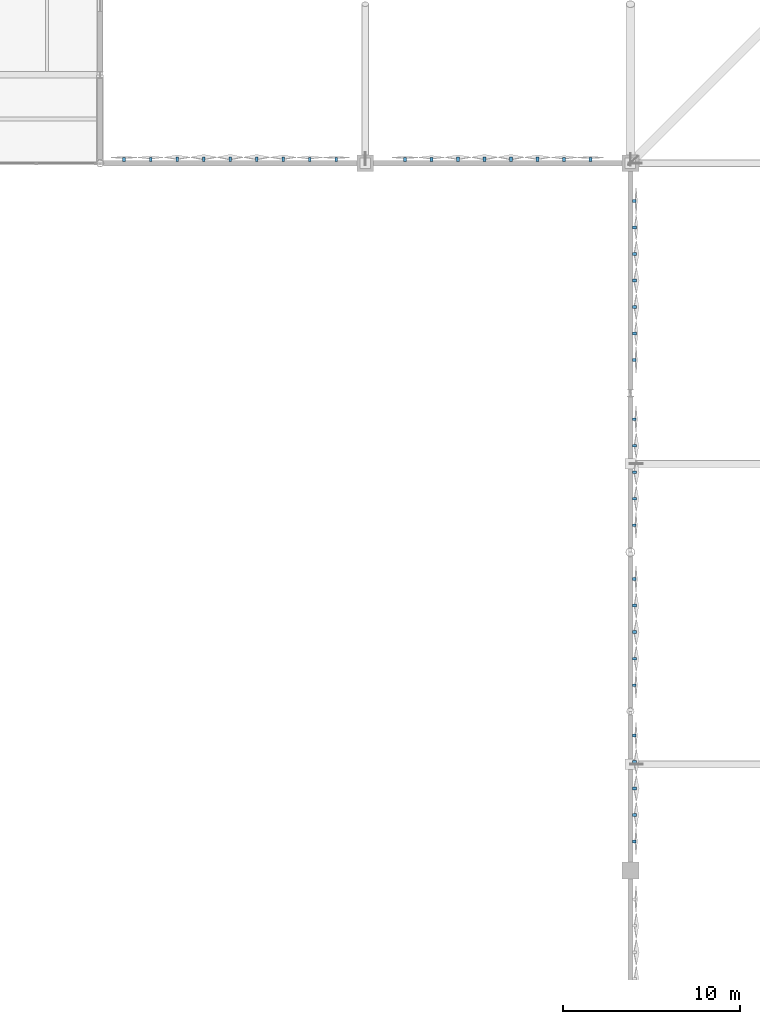
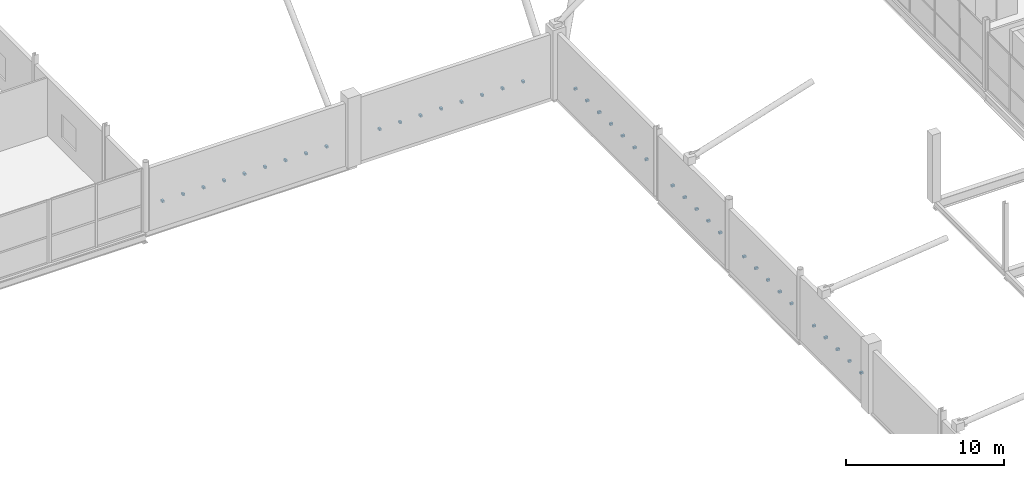
# One storey, part 104 of 119: 39 discrete accessories.
"""IFC4 building model written with IfcOpenShell, lengths in metres."""

from ifc_helpers import new_model, si_unit, direction, frame, origin, origin_2d, place, context, subcontext, project, spatial, rectangle, extrude, material, type_object, element, save


model = new_model("IFC4")

# Units and contexts
model_context = context("Model", 3, precision=1e-05, world=origin(), true_north=direction((0.0, 1.0)))
body_context = subcontext(model_context, "Body", "Model", "MODEL_VIEW")
ifc_project = project(units=[si_unit("LENGTHUNIT", "METRE"), si_unit("AREAUNIT", "SQUARE_METRE"), si_unit("VOLUMEUNIT", "CUBIC_METRE"), si_unit("PLANEANGLEUNIT", "RADIAN"), si_unit("MASSUNIT", "GRAM", prefix="KILO")], contexts=[model_context])

# Site, building, storey
site_placement = place(None, origin())
site = spatial("IfcSite", under=ifc_project, at=site_placement, CompositionType="ELEMENT")
building_placement = place(site_placement, origin())
building = spatial("IfcBuilding", under=site, at=building_placement, Name="Qamarlyn Nura Convention Centre", CompositionType="ELEMENT")
storey_placement = place(building_placement, frame((0.0, 0.0, 5.39990234375)))
storey = spatial("IfcBuildingStorey", under=building, at=storey_placement, Name="L01", CompositionType="ELEMENT", Elevation=5.39990234375)

# Discrete accessories
ifc_material = material(Name="Marine Grade 316 stainless steel", Category="steel")
discrete_accessory_type = type_object("IfcDiscreteAccessoryType", Name="ACC-TILE-BRK", PredefinedType="BRACKET", material=ifc_material)
discrete_accessory_1_placement = place(storey_placement, frame((91.364013671875, 103.217529296875, 1.6201171875), z_axis=(0.0, 0.0, 1.0), x_axis=(0.0, 1.0, 0.0)))
element("IfcDiscreteAccessory", 1, at=discrete_accessory_1_placement, inside=storey, type_object=discrete_accessory_type, Name="L01 diamond tile pivot bracket 0141", PredefinedType="BRACKET", context=body_context, shape_type="SweptSolid", body=[
    extrude(rectangle(XDim=0.215087890625, YDim=0.159912109375, at=origin_2d()), origin(), (0.0, 0.0, 1.0), 0.159912109375),
])
discrete_accessory_2_placement = place(storey_placement, frame((92.864013671875, 103.2197265625, 1.6201171875), z_axis=(0.0, 0.0, 1.0), x_axis=(0.0, 1.0, 0.0)))
element("IfcDiscreteAccessory", 2, at=discrete_accessory_2_placement, inside=storey, type_object=discrete_accessory_type, Name="L01 diamond tile pivot bracket 0142", PredefinedType="BRACKET", context=body_context, shape_type="SweptSolid", body=[
    extrude(rectangle(XDim=0.219482421875, YDim=0.159912109375, at=origin_2d()), origin(), (0.0, 0.0, 1.0), 0.159912109375),
])
discrete_accessory_3_placement = place(storey_placement, frame((94.364013671875, 103.224365234375, 1.6201171875), z_axis=(0.0, 0.0, 1.0), x_axis=(0.0, 1.0, 0.0)))
element("IfcDiscreteAccessory", 3, at=discrete_accessory_3_placement, inside=storey, type_object=discrete_accessory_type, Name="L01 diamond tile pivot bracket 0143", PredefinedType="BRACKET", context=body_context, shape_type="SweptSolid", body=[
    extrude(rectangle(XDim=0.228515625, YDim=0.159912109375, at=origin_2d()), origin(), (0.0, 0.0, 1.0), 0.159912109375),
])
for number, where, z_axis, x_axis, name in (
    (4, (95.864013671875, 103.2265625, 1.6201171875), (0.0, 0.0, 1.0), (0.0, 1.0, 0.0), "L01 diamond tile pivot bracket 0144"),
    (5, (97.364013671875, 103.2265625, 1.6201171875), (0.0, 0.0, 1.0), (0.0, 1.0, 0.0), "L01 diamond tile pivot bracket 0145"),
    (6, (98.864013671875, 103.2265625, 1.6201171875), (0.0, 0.0, 1.0), (0.0, 1.0, 0.0), "L01 diamond tile pivot bracket 0146"),
):
    element("IfcDiscreteAccessory", number, at=place(storey_placement, frame(where, z_axis=z_axis, x_axis=x_axis)), inside=storey, type_object=discrete_accessory_type, Name=name, PredefinedType="BRACKET", context=body_context, shape_type="SweptSolid", body=[
        extrude(rectangle(XDim=0.23291015625, YDim=0.159912109375, at=origin_2d()), origin(), (0.0, 0.0, 1.0), 0.159912109375),
    ])
discrete_accessory_4_placement = place(storey_placement, frame((100.364013671875, 103.224365234375, 1.6201171875), z_axis=(0.0, 0.0, 1.0), x_axis=(0.0, 1.0, 0.0)))
element("IfcDiscreteAccessory", 7, at=discrete_accessory_4_placement, inside=storey, type_object=discrete_accessory_type, Name="L01 diamond tile pivot bracket 0147", PredefinedType="BRACKET", context=body_context, shape_type="SweptSolid", body=[
    extrude(rectangle(XDim=0.228515625, YDim=0.159912109375, at=origin_2d()), origin(), (0.0, 0.0, 1.0), 0.159912109375),
])
discrete_accessory_5_placement = place(storey_placement, frame((101.864013671875, 103.2197265625, 1.6201171875), z_axis=(0.0, 0.0, 1.0), x_axis=(0.0, 1.0, 0.0)))
element("IfcDiscreteAccessory", 8, at=discrete_accessory_5_placement, inside=storey, type_object=discrete_accessory_type, Name="L01 diamond tile pivot bracket 0148", PredefinedType="BRACKET", context=body_context, shape_type="SweptSolid", body=[
    extrude(rectangle(XDim=0.219482421875, YDim=0.159912109375, at=origin_2d()), origin(), (0.0, 0.0, 1.0), 0.159912109375),
])
for number, where, z_axis, x_axis, name in (
    (9, (103.364013671875, 103.217529296875, 1.6201171875), (0.0, 0.0, 1.0), (0.0, 1.0, 0.0), "L01 diamond tile pivot bracket 0149"),
    (10, (107.25, 103.217529296875, 1.6201171875), (0.0, 0.0, 1.0), (0.0, 1.0, 0.0), "L01 diamond tile pivot bracket 0150"),
):
    element("IfcDiscreteAccessory", number, at=place(storey_placement, frame(where, z_axis=z_axis, x_axis=x_axis)), inside=storey, type_object=discrete_accessory_type, Name=name, PredefinedType="BRACKET", context=body_context, shape_type="SweptSolid", body=[
        extrude(rectangle(XDim=0.215087890625, YDim=0.159912109375, at=origin_2d()), origin(), (0.0, 0.0, 1.0), 0.159912109375),
    ])
discrete_accessory_6_placement = place(storey_placement, frame((108.75, 103.22119140625, 1.6201171875), z_axis=(0.0, 0.0, 1.0), x_axis=(0.0, 1.0, 0.0)))
element("IfcDiscreteAccessory", 11, at=discrete_accessory_6_placement, inside=storey, type_object=discrete_accessory_type, Name="L01 diamond tile pivot bracket 0151", PredefinedType="BRACKET", context=body_context, shape_type="SweptSolid", body=[
    extrude(rectangle(XDim=0.222412109375, YDim=0.159912109375, at=origin_2d()), origin(), (0.0, 0.0, 1.0), 0.159912109375),
])
discrete_accessory_7_placement = place(storey_placement, frame((110.25, 103.224365234375, 1.6201171875), z_axis=(0.0, 0.0, 1.0), x_axis=(0.0, 1.0, 0.0)))
element("IfcDiscreteAccessory", 12, at=discrete_accessory_7_placement, inside=storey, type_object=discrete_accessory_type, Name="L01 diamond tile pivot bracket 0152", PredefinedType="BRACKET", context=body_context, shape_type="SweptSolid", body=[
    extrude(rectangle(XDim=0.228515625, YDim=0.159912109375, at=origin_2d()), origin(), (0.0, 0.0, 1.0), 0.159912109375),
])
for number, where, z_axis, x_axis, name in (
    (13, (111.75, 103.2265625, 1.6201171875), (0.0, 0.0, 1.0), (0.0, 1.0, 0.0), "L01 diamond tile pivot bracket 0153"),
    (14, (113.25, 103.2265625, 1.6201171875), (0.0, 0.0, 1.0), (0.0, 1.0, 0.0), "L01 diamond tile pivot bracket 0154"),
):
    element("IfcDiscreteAccessory", number, at=place(storey_placement, frame(where, z_axis=z_axis, x_axis=x_axis)), inside=storey, type_object=discrete_accessory_type, Name=name, PredefinedType="BRACKET", context=body_context, shape_type="SweptSolid", body=[
        extrude(rectangle(XDim=0.23291015625, YDim=0.159912109375, at=origin_2d()), origin(), (0.0, 0.0, 1.0), 0.159912109375),
    ])
discrete_accessory_8_placement = place(storey_placement, frame((114.75, 103.224365234375, 1.6201171875), z_axis=(0.0, 0.0, 1.0), x_axis=(0.0, 1.0, 0.0)))
element("IfcDiscreteAccessory", 15, at=discrete_accessory_8_placement, inside=storey, type_object=discrete_accessory_type, Name="L01 diamond tile pivot bracket 0155", PredefinedType="BRACKET", context=body_context, shape_type="SweptSolid", body=[
    extrude(rectangle(XDim=0.228515625, YDim=0.159912109375, at=origin_2d()), origin(), (0.0, 0.0, 1.0), 0.159912109375),
])
discrete_accessory_9_placement = place(storey_placement, frame((116.25, 103.22119140625, 1.6201171875), z_axis=(0.0, 0.0, 1.0), x_axis=(0.0, 1.0, 0.0)))
element("IfcDiscreteAccessory", 16, at=discrete_accessory_9_placement, inside=storey, type_object=discrete_accessory_type, Name="L01 diamond tile pivot bracket 0156", PredefinedType="BRACKET", context=body_context, shape_type="SweptSolid", body=[
    extrude(rectangle(XDim=0.222412109375, YDim=0.159912109375, at=origin_2d()), origin(), (0.0, 0.0, 1.0), 0.159912109375),
])
discrete_accessory_10_placement = place(storey_placement, frame((117.75, 103.217529296875, 1.6201171875), z_axis=(0.0, 0.0, 1.0), x_axis=(0.0, 1.0, 0.0)))
element("IfcDiscreteAccessory", 17, at=discrete_accessory_10_placement, inside=storey, type_object=discrete_accessory_type, Name="L01 diamond tile pivot bracket 0157", PredefinedType="BRACKET", context=body_context, shape_type="SweptSolid", body=[
    extrude(rectangle(XDim=0.215087890625, YDim=0.159912109375, at=origin_2d()), origin(), (0.0, 0.0, 1.0), 0.159912109375),
])
discrete_accessory_11_placement = place(storey_placement, frame((120.218994140625, 70.635986328125, 1.6201171875), z_axis=(0.0, 0.0, 1.0), x_axis=(1.0, 0.0, 0.0)))
element("IfcDiscreteAccessory", 18, at=discrete_accessory_11_placement, inside=storey, type_object=discrete_accessory_type, Name="L01 diamond tile pivot bracket 0173", PredefinedType="BRACKET", context=body_context, shape_type="SweptSolid", body=[
    extrude(rectangle(XDim=0.218017578125, YDim=0.159912109375, at=origin_2d()), origin(), (0.0, 0.0, 1.0), 0.159912109375),
])
discrete_accessory_12_placement = place(storey_placement, frame((120.224365234375, 69.135986328125, 1.6201171875), z_axis=(0.0, 0.0, 1.0), x_axis=(1.0, 0.0, 0.0)))
element("IfcDiscreteAccessory", 19, at=discrete_accessory_12_placement, inside=storey, type_object=discrete_accessory_type, Name="L01 diamond tile pivot bracket 0174", PredefinedType="BRACKET", context=body_context, shape_type="SweptSolid", body=[
    extrude(rectangle(XDim=0.228515625, YDim=0.159912109375, at=origin_2d()), origin(), (0.0, 0.0, 1.0), 0.159912109375),
])
discrete_accessory_13_placement = place(storey_placement, frame((120.2265625, 67.635986328125, 1.6201171875), z_axis=(0.0, 0.0, 1.0), x_axis=(1.0, 0.0, 0.0)))
element("IfcDiscreteAccessory", 20, at=discrete_accessory_13_placement, inside=storey, type_object=discrete_accessory_type, Name="L01 diamond tile pivot bracket 0175", PredefinedType="BRACKET", context=body_context, shape_type="SweptSolid", body=[
    extrude(rectangle(XDim=0.23291015625, YDim=0.159912109375, at=origin_2d()), origin(), (0.0, 0.0, 1.0), 0.159912109375),
])
discrete_accessory_14_placement = place(storey_placement, frame((120.224365234375, 66.135986328125, 1.6201171875), z_axis=(0.0, 0.0, 1.0), x_axis=(1.0, 0.0, 0.0)))
element("IfcDiscreteAccessory", 21, at=discrete_accessory_14_placement, inside=storey, type_object=discrete_accessory_type, Name="L01 diamond tile pivot bracket 0176", PredefinedType="BRACKET", context=body_context, shape_type="SweptSolid", body=[
    extrude(rectangle(XDim=0.228515625, YDim=0.159912109375, at=origin_2d()), origin(), (0.0, 0.0, 1.0), 0.159912109375),
])
for number, where, z_axis, x_axis, name in (
    (22, (120.218994140625, 64.635986328125, 1.6201171875), (0.0, 0.0, 1.0), (1.0, 0.0, 0.0), "L01 diamond tile pivot bracket 0177"),
    (23, (120.218994140625, 79.474609375, 1.6201171875), (0.0, 0.0, 1.0), (1.0, 0.0, 0.0), "L01 diamond tile pivot bracket 0178"),
):
    element("IfcDiscreteAccessory", number, at=place(storey_placement, frame(where, z_axis=z_axis, x_axis=x_axis)), inside=storey, type_object=discrete_accessory_type, Name=name, PredefinedType="BRACKET", context=body_context, shape_type="SweptSolid", body=[
        extrude(rectangle(XDim=0.218017578125, YDim=0.159912109375, at=origin_2d()), origin(), (0.0, 0.0, 1.0), 0.159912109375),
    ])
discrete_accessory_15_placement = place(storey_placement, frame((120.224365234375, 77.974609375, 1.6201171875), z_axis=(0.0, 0.0, 1.0), x_axis=(1.0, 0.0, 0.0)))
element("IfcDiscreteAccessory", 24, at=discrete_accessory_15_placement, inside=storey, type_object=discrete_accessory_type, Name="L01 diamond tile pivot bracket 0179", PredefinedType="BRACKET", context=body_context, shape_type="SweptSolid", body=[
    extrude(rectangle(XDim=0.228515625, YDim=0.159912109375, at=origin_2d()), origin(), (0.0, 0.0, 1.0), 0.159912109375),
])
discrete_accessory_16_placement = place(storey_placement, frame((120.2265625, 76.474609375, 1.6201171875), z_axis=(0.0, 0.0, 1.0), x_axis=(1.0, 0.0, 0.0)))
element("IfcDiscreteAccessory", 25, at=discrete_accessory_16_placement, inside=storey, type_object=discrete_accessory_type, Name="L01 diamond tile pivot bracket 0180", PredefinedType="BRACKET", context=body_context, shape_type="SweptSolid", body=[
    extrude(rectangle(XDim=0.23291015625, YDim=0.159912109375, at=origin_2d()), origin(), (0.0, 0.0, 1.0), 0.159912109375),
])
discrete_accessory_17_placement = place(storey_placement, frame((120.224365234375, 74.974609375, 1.6201171875), z_axis=(0.0, 0.0, 1.0), x_axis=(1.0, 0.0, 0.0)))
element("IfcDiscreteAccessory", 26, at=discrete_accessory_17_placement, inside=storey, type_object=discrete_accessory_type, Name="L01 diamond tile pivot bracket 0181", PredefinedType="BRACKET", context=body_context, shape_type="SweptSolid", body=[
    extrude(rectangle(XDim=0.228515625, YDim=0.159912109375, at=origin_2d()), origin(), (0.0, 0.0, 1.0), 0.159912109375),
])
for number, where, z_axis, x_axis, name in (
    (27, (120.218994140625, 73.474609375, 1.6201171875), (0.0, 0.0, 1.0), (1.0, 0.0, 0.0), "L01 diamond tile pivot bracket 0182"),
    (28, (120.218994140625, 88.520751953125, 1.6201171875), (0.0, 0.0, 1.0), (1.0, 0.0, 0.0), "L01 diamond tile pivot bracket 0183"),
):
    element("IfcDiscreteAccessory", number, at=place(storey_placement, frame(where, z_axis=z_axis, x_axis=x_axis)), inside=storey, type_object=discrete_accessory_type, Name=name, PredefinedType="BRACKET", context=body_context, shape_type="SweptSolid", body=[
        extrude(rectangle(XDim=0.218017578125, YDim=0.159912109375, at=origin_2d()), origin(), (0.0, 0.0, 1.0), 0.159912109375),
    ])
discrete_accessory_18_placement = place(storey_placement, frame((120.224365234375, 87.020751953125, 1.6201171875), z_axis=(0.0, 0.0, 1.0), x_axis=(1.0, 0.0, 0.0)))
element("IfcDiscreteAccessory", 29, at=discrete_accessory_18_placement, inside=storey, type_object=discrete_accessory_type, Name="L01 diamond tile pivot bracket 0184", PredefinedType="BRACKET", context=body_context, shape_type="SweptSolid", body=[
    extrude(rectangle(XDim=0.228515625, YDim=0.159912109375, at=origin_2d()), origin(), (0.0, 0.0, 1.0), 0.159912109375),
])
discrete_accessory_19_placement = place(storey_placement, frame((120.2265625, 85.520751953125, 1.6201171875), z_axis=(0.0, 0.0, 1.0), x_axis=(1.0, 0.0, 0.0)))
element("IfcDiscreteAccessory", 30, at=discrete_accessory_19_placement, inside=storey, type_object=discrete_accessory_type, Name="L01 diamond tile pivot bracket 0185", PredefinedType="BRACKET", context=body_context, shape_type="SweptSolid", body=[
    extrude(rectangle(XDim=0.23291015625, YDim=0.159912109375, at=origin_2d()), origin(), (0.0, 0.0, 1.0), 0.159912109375),
])
discrete_accessory_20_placement = place(storey_placement, frame((120.224365234375, 84.020751953125, 1.6201171875), z_axis=(0.0, 0.0, 1.0), x_axis=(1.0, 0.0, 0.0)))
element("IfcDiscreteAccessory", 31, at=discrete_accessory_20_placement, inside=storey, type_object=discrete_accessory_type, Name="L01 diamond tile pivot bracket 0186", PredefinedType="BRACKET", context=body_context, shape_type="SweptSolid", body=[
    extrude(rectangle(XDim=0.228515625, YDim=0.159912109375, at=origin_2d()), origin(), (0.0, 0.0, 1.0), 0.159912109375),
])
discrete_accessory_21_placement = place(storey_placement, frame((120.218994140625, 82.520751953125, 1.6201171875), z_axis=(0.0, 0.0, 1.0), x_axis=(1.0, 0.0, 0.0)))
element("IfcDiscreteAccessory", 32, at=discrete_accessory_21_placement, inside=storey, type_object=discrete_accessory_type, Name="L01 diamond tile pivot bracket 0187", PredefinedType="BRACKET", context=body_context, shape_type="SweptSolid", body=[
    extrude(rectangle(XDim=0.218017578125, YDim=0.159912109375, at=origin_2d()), origin(), (0.0, 0.0, 1.0), 0.159912109375),
])
discrete_accessory_22_placement = place(storey_placement, frame((120.217529296875, 100.868896484375, 1.6201171875), z_axis=(0.0, 0.0, 1.0), x_axis=(1.0, 0.0, 0.0)))
element("IfcDiscreteAccessory", 33, at=discrete_accessory_22_placement, inside=storey, type_object=discrete_accessory_type, Name="L01 diamond tile pivot bracket 0188", PredefinedType="BRACKET", context=body_context, shape_type="SweptSolid", body=[
    extrude(rectangle(XDim=0.215087890625, YDim=0.159912109375, at=origin_2d()), origin(), (0.0, 0.0, 1.0), 0.159912109375),
])
discrete_accessory_23_placement = place(storey_placement, frame((120.22119140625, 99.368896484375, 1.6201171875), z_axis=(0.0, 0.0, 1.0), x_axis=(1.0, 0.0, 0.0)))
element("IfcDiscreteAccessory", 34, at=discrete_accessory_23_placement, inside=storey, type_object=discrete_accessory_type, Name="L01 diamond tile pivot bracket 0189", PredefinedType="BRACKET", context=body_context, shape_type="SweptSolid", body=[
    extrude(rectangle(XDim=0.222412109375, YDim=0.159912109375, at=origin_2d()), origin(), (0.0, 0.0, 1.0), 0.159912109375),
])
for number, where, z_axis, x_axis, name in (
    (35, (120.2265625, 97.868896484375, 1.6201171875), (0.0, 0.0, 1.0), (1.0, 0.0, 0.0), "L01 diamond tile pivot bracket 0190"),
    (36, (120.2265625, 96.368896484375, 1.6201171875), (0.0, 0.0, 1.0), (1.0, 0.0, 0.0), "L01 diamond tile pivot bracket 0191"),
    (37, (120.2265625, 94.868896484375, 1.6201171875), (0.0, 0.0, 1.0), (1.0, 0.0, 0.0), "L01 diamond tile pivot bracket 0192"),
):
    element("IfcDiscreteAccessory", number, at=place(storey_placement, frame(where, z_axis=z_axis, x_axis=x_axis)), inside=storey, type_object=discrete_accessory_type, Name=name, PredefinedType="BRACKET", context=body_context, shape_type="SweptSolid", body=[
        extrude(rectangle(XDim=0.23291015625, YDim=0.159912109375, at=origin_2d()), origin(), (0.0, 0.0, 1.0), 0.159912109375),
    ])
discrete_accessory_24_placement = place(storey_placement, frame((120.22119140625, 93.368896484375, 1.6201171875), z_axis=(0.0, 0.0, 1.0), x_axis=(1.0, 0.0, 0.0)))
element("IfcDiscreteAccessory", 38, at=discrete_accessory_24_placement, inside=storey, type_object=discrete_accessory_type, Name="L01 diamond tile pivot bracket 0193", PredefinedType="BRACKET", context=body_context, shape_type="SweptSolid", body=[
    extrude(rectangle(XDim=0.222412109375, YDim=0.159912109375, at=origin_2d()), origin(), (0.0, 0.0, 1.0), 0.159912109375),
])
discrete_accessory_25_placement = place(storey_placement, frame((120.217529296875, 91.868896484375, 1.6201171875), z_axis=(0.0, 0.0, 1.0), x_axis=(1.0, 0.0, 0.0)))
element("IfcDiscreteAccessory", 39, at=discrete_accessory_25_placement, inside=storey, type_object=discrete_accessory_type, Name="L01 diamond tile pivot bracket 0194", PredefinedType="BRACKET", context=body_context, shape_type="SweptSolid", body=[
    extrude(rectangle(XDim=0.215087890625, YDim=0.159912109375, at=origin_2d()), origin(), (0.0, 0.0, 1.0), 0.159912109375),
])

save(model, "model.ifc")
